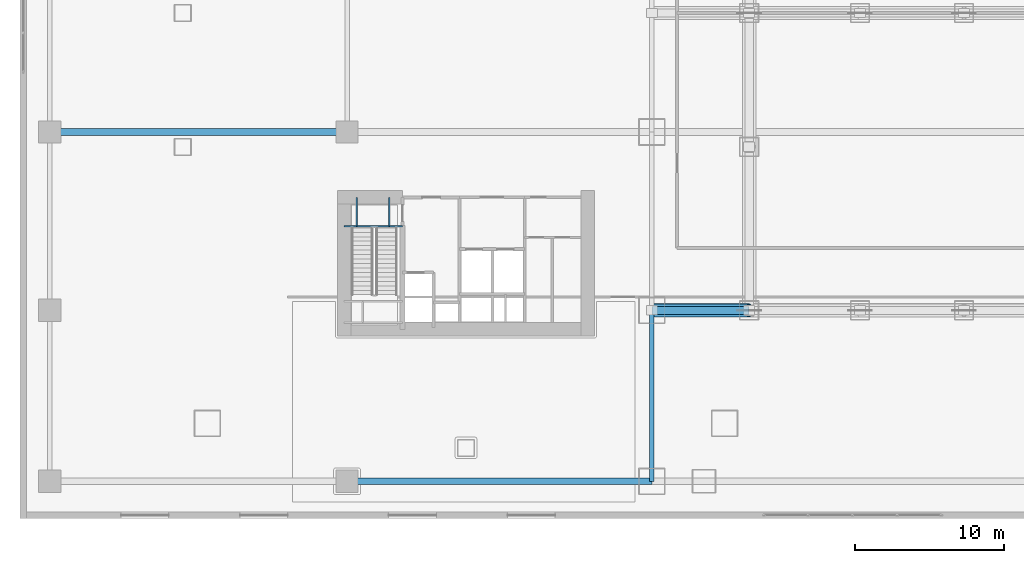
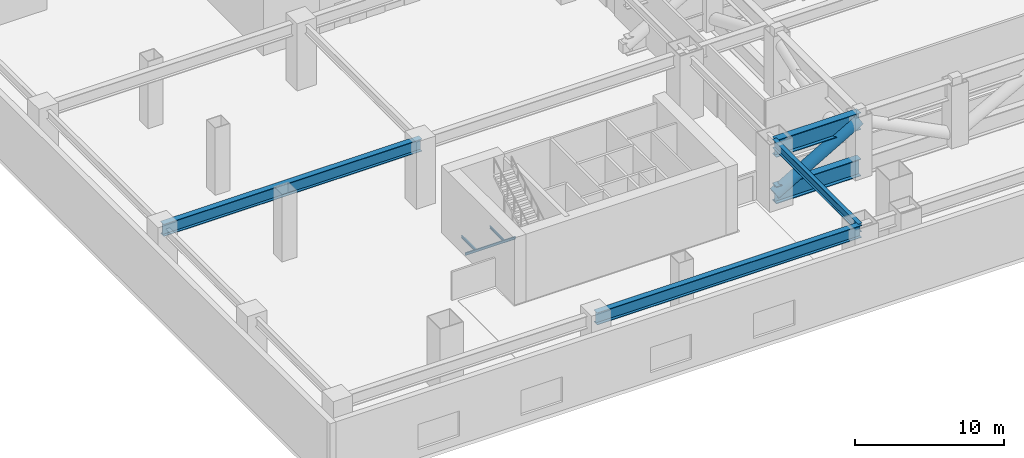
# One storey, part 5 of 34: 8 beams, 1 member.
"""IFC4 building model written with IfcOpenShell, lengths in metres."""

from ifc_helpers import new_model, si_unit, direction, frame, origin, origin_2d, place, context, subcontext, project, spatial, hollow_circle, i_section, extrude, material, material_profile, profile_set, type_object, element, save


model = new_model("IFC4")

# Units and contexts
model_context = context("Model", 3, precision=1e-05, world=origin(), true_north=direction((0.0, 1.0)))
body_context = subcontext(model_context, "Body", "Model", "MODEL_VIEW")
ifc_project = project(units=[si_unit("LENGTHUNIT", "METRE"), si_unit("AREAUNIT", "SQUARE_METRE"), si_unit("VOLUMEUNIT", "CUBIC_METRE"), si_unit("PLANEANGLEUNIT", "RADIAN"), si_unit("MASSUNIT", "GRAM", prefix="KILO")], contexts=[model_context])

# Site, building, storey
site_placement = place(None, origin())
site = spatial("IfcSite", under=ifc_project, at=site_placement, CompositionType="ELEMENT")
building_placement = place(site_placement, origin())
building = spatial("IfcBuilding", under=site, at=building_placement, Name="Qiaolan Cultural Towers", CompositionType="ELEMENT")
storey_placement = place(building_placement, frame((0.0, 0.0, 16.5)))
storey = spatial("IfcBuildingStorey", under=building, at=storey_placement, Name="L03", CompositionType="ELEMENT", Elevation=16.5)

# Beams
ifc_material_1 = material(Name="Steel Q390GJB", Category="steel")
ifc_material_profile_1 = material_profile(ifc_material_1, i_section(OverallWidth=0.449951171875, OverallDepth=1.0, WebThickness=0.02392578125, FlangeThickness=0.0400390625, at=origin_2d()), Name="BH1000x450x24x40")
ifc_profile_set_1 = profile_set([ifc_material_profile_1], Name="Steel Q390GJB")
beam_type_1 = type_object("IfcBeamType", Name="BM-BH1000x450x24x40", PredefinedType="BEAM", material=ifc_profile_set_1)
beam_1_placement = place(storey_placement, frame((22.0, 2.5, 4.699951171875), z_axis=(1.0, 0.0, 0.0), x_axis=(0.0, 1.0, 0.0)))
element("IfcBeam", 1, at=beam_1_placement, inside=storey, type_object=beam_type_1, Name="L03 Podium Primary Girder Y=2.5", PredefinedType="BEAM", context=body_context, shape_type="SweptSolid", body=[
    extrude(i_section(OverallWidth=0.449951171875, OverallDepth=1.0, WebThickness=0.02392578125, FlangeThickness=0.0400390625, at=origin_2d()), origin(), (0.0, 0.0, 1.0), 20.5),
])
beam_2_placement = place(storey_placement, frame((2.0, 26.0, 4.699951171875), z_axis=(1.0, 0.0, 0.0), x_axis=(0.0, 1.0, 0.0)))
element("IfcBeam", 2, at=beam_2_placement, inside=storey, type_object=beam_type_1, Name="L03 Podium Primary Girder Y=26.0", PredefinedType="BEAM", context=body_context, shape_type="SweptSolid", body=[
    extrude(i_section(OverallWidth=0.449951171875, OverallDepth=1.0, WebThickness=0.02392578125, FlangeThickness=0.0400390625, at=origin_2d()), origin(), (0.0, 0.0, 1.0), 20.0),
])
ifc_material_2 = material(Name="Steel Q420GJB", Category="steel")
ifc_material_profile_2 = material_profile(ifc_material_2, i_section(OverallWidth=0.550048828125, OverallDepth=1.39990234375, WebThickness=0.031982421875, FlangeThickness=0.050048828125, at=origin_2d()), Name="BH1400x550x32x50")
ifc_profile_set_2 = profile_set([ifc_material_profile_2], Name="Steel Q420GJB")
beam_type_2 = type_object("IfcBeamType", Name="BM-BH1400x550x32x50", PredefinedType="BEAM", material=ifc_profile_set_2)
for number, where, z_axis, x_axis, name in (
    (3, (42.5, 14.0, 0.699951171875), (1.0, 0.0, 0.0), (0.0, 1.0, 0.0), "L03 Podium Transfer Truss 1 Bottom Chord 1"),
    (4, (42.5, 14.0, 4.5), (1.0, 0.0, 0.0), (0.0, 1.0, 0.0), "L03 Podium Transfer Truss 1 Top Chord 1"),
):
    element("IfcBeam", number, at=place(storey_placement, frame(where, z_axis=z_axis, x_axis=x_axis)), inside=storey, type_object=beam_type_2, Name=name, PredefinedType="BEAM", context=body_context, shape_type="SweptSolid", body=[
        extrude(i_section(OverallWidth=0.550048828125, OverallDepth=1.39990234375, WebThickness=0.031982421875, FlangeThickness=0.050048828125, at=origin_2d()), origin(), (0.0, 0.0, 1.0), 6.550048828125),
    ])
ifc_material_3 = material(Name="Steel Q355B", Category="steel")
ifc_material_profile_3 = material_profile(ifc_material_3, i_section(OverallWidth=0.300048828125, OverallDepth=0.699951171875, WebThickness=0.012939453125, FlangeThickness=0.02392578125, at=origin_2d()), Name="HN700x300x13x24")
ifc_profile_set_3 = profile_set([ifc_material_profile_3], Name="Steel Q355B")
beam_type_3 = type_object("IfcBeamType", Name="BM-HN700x300x13x24", PredefinedType="BEAM", material=ifc_profile_set_3)
beam_3_placement = place(storey_placement, frame((42.5, 2.5, 4.85009765625), z_axis=(0.0, 1.0, 0.0), x_axis=(-1.0, 0.0, 0.0)))
element("IfcBeam", 5, at=beam_3_placement, inside=storey, type_object=beam_type_3, Name="L03 Podium Transverse Beam X=42.5", PredefinedType="BEAM", context=body_context, shape_type="SweptSolid", body=[
    extrude(i_section(OverallWidth=0.300048828125, OverallDepth=0.699951171875, WebThickness=0.012939453125, FlangeThickness=0.02392578125, at=origin_2d()), origin(), (0.0, 0.0, 1.0), 11.5),
])
ifc_material_4 = material(Name="Steel Q355B", Category="steel")
ifc_material_profile_4 = material_profile(ifc_material_4, i_section(OverallWidth=0.10009765625, OverallDepth=0.199951171875, WebThickness=0.005615234375, FlangeThickness=0.008056640625, at=origin_2d()), Name="HN200x100x5.5x8")
ifc_profile_set_4 = profile_set([ifc_material_profile_4], Name="Steel Q355B")
beam_type_4 = type_object("IfcBeamType", Name="BM-STTRIM-200", PredefinedType="BEAM", material=ifc_profile_set_4)
beam_4_placement = place(storey_placement, frame((21.800048828125, 19.659912109375, -0.4599609375), z_axis=(1.0, 0.0, 0.0), x_axis=(0.0, 1.0, 0.0)))
element("IfcBeam", 6, at=beam_4_placement, inside=storey, type_object=beam_type_4, Name="L03 ST-W1 Floor Landing Header Beam", PredefinedType="BEAM", context=body_context, shape_type="SweptSolid", body=[
    extrude(i_section(OverallWidth=0.10009765625, OverallDepth=0.199951171875, WebThickness=0.005615234375, FlangeThickness=0.008056640625, at=origin_2d()), origin(), (0.0, 0.0, 1.0), 3.919921875),
])
for number, where, z_axis, x_axis, name in (
    (7, (22.64990234375, 21.60009765625, -0.4599609375), (0.0, -1.0, 0.0), (1.0, 0.0, 0.0), "L03 ST-W1 Floor Landing Stringer 1"),
    (8, (24.85009765625, 21.60009765625, -0.4599609375), (0.0, -1.0, 0.0), (1.0, 0.0, 0.0), "L03 ST-W1 Floor Landing Stringer 2"),
):
    element("IfcBeam", number, at=place(storey_placement, frame(where, z_axis=z_axis, x_axis=x_axis)), inside=storey, type_object=beam_type_4, Name=name, PredefinedType="BEAM", context=body_context, shape_type="SweptSolid", body=[
        extrude(i_section(OverallWidth=0.10009765625, OverallDepth=0.199951171875, WebThickness=0.005615234375, FlangeThickness=0.008056640625, at=origin_2d()), origin(), (0.0, 0.0, 1.0), 1.940185546875),
    ])

# Member
ifc_material_5 = material(Name="Steel Q390GJB", Category="steel")
ifc_material_profile_5 = material_profile(ifc_material_5, hollow_circle(Radius=0.449951171875, WallThickness=0.044921875, at=origin_2d()), Name="CHS900x45")
ifc_profile_set_5 = profile_set([ifc_material_profile_5], Name="Steel Q390GJB")
member_type = type_object("IfcMemberType", Name="MBR-BRC-CHS900x45", PredefinedType="BRACE", material=ifc_profile_set_5)
member_placement = place(storey_placement, frame((42.5, 14.0, 0.699951171875), z_axis=(0.864972695525, 0.0, 0.501818927498), x_axis=(0.0, 1.0, 0.0)))
element("IfcMember", 9, at=member_placement, inside=storey, type_object=member_type, Name="L03 Podium Transfer Truss 1 Diagonal 1", PredefinedType="BRACE", context=body_context, shape_type="SweptSolid", body=[
    extrude(hollow_circle(Radius=0.449951171875, WallThickness=0.044921875, at=origin_2d()), origin(), (0.0, 0.0, 1.0), 7.572509765625),
])

save(model, "model.ifc")
